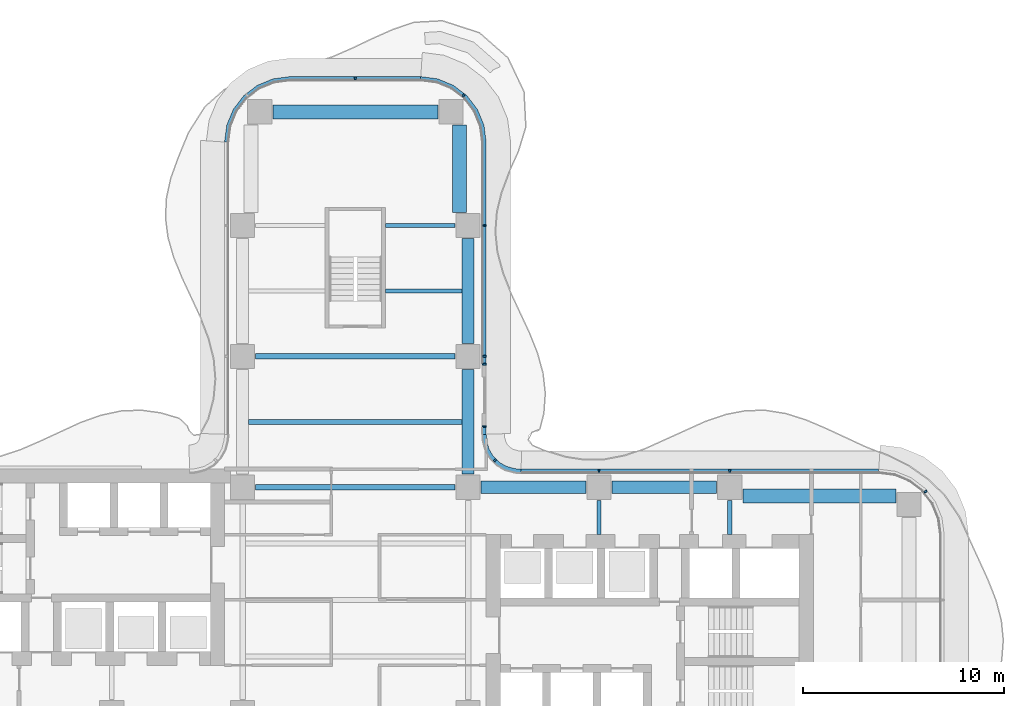
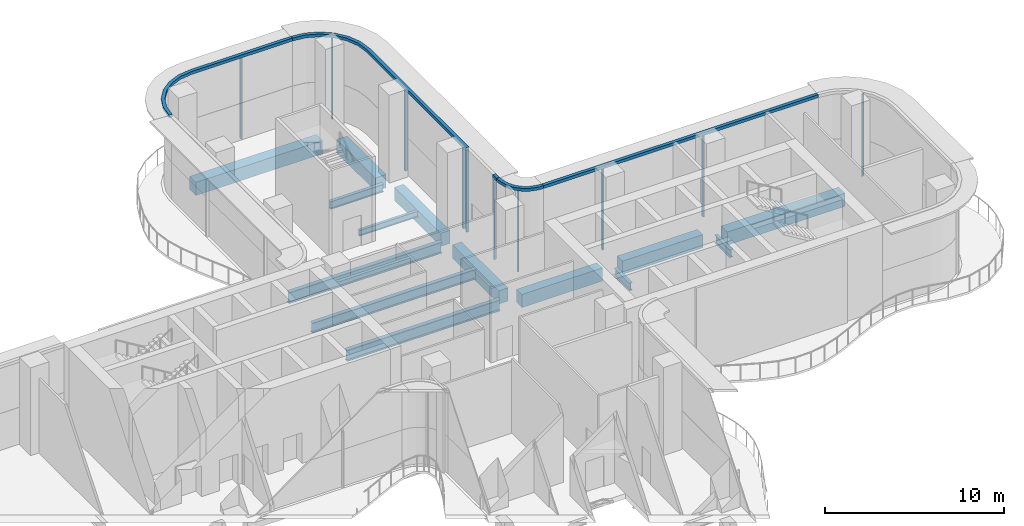
# One storey, part 7 of 19: 15 members, 14 beams, 6 elements without a shape of their own.
"""IFC4 building model written with IfcOpenShell, lengths in metres."""

from ifc_helpers import new_model, si_unit, direction, frame, origin, origin_2d, place, context, subcontext, project, spatial, polyline, rectangle, i_section, outline, extrude, source, transform, mapped, material, layer, layer_set, material_profile, profile_set, type_object, element, aggregate, save


model = new_model("IFC4")

# Units and contexts
model_context = context("Model", 3, precision=1e-05, world=origin(), true_north=direction((0.0, 1.0)))
body_context = subcontext(model_context, "Body", "Model", "MODEL_VIEW")
ifc_project = project(units=[si_unit("LENGTHUNIT", "METRE"), si_unit("AREAUNIT", "SQUARE_METRE"), si_unit("VOLUMEUNIT", "CUBIC_METRE"), si_unit("PLANEANGLEUNIT", "RADIAN"), si_unit("MASSUNIT", "GRAM", prefix="KILO")], contexts=[model_context])

# Site, building, storey
site_placement = place(None, origin())
site = spatial("IfcSite", under=ifc_project, at=site_placement, CompositionType="ELEMENT")
building_placement = place(site_placement, origin())
building = spatial("IfcBuilding", under=site, at=building_placement, Name="Trellis Farm Tower", CompositionType="ELEMENT")
storey_placement = place(building_placement, frame((0.0, 0.0, 156.0)))
storey = spatial("IfcBuildingStorey", under=building, at=storey_placement, Name="L33", CompositionType="ELEMENT", Elevation=156.0)

# Curtain wall, member
ifc_material_1 = material(Name="Aluminium and glass curtain wall", Category="aluminium")
ifc_layer_1 = layer(ifc_material_1, 0.196044921875)
ifc_layer_set_1 = layer_set([ifc_layer_1], Name="LOUVRED GLASS CURTAIN WALL CW6")
curtain_wall_type = type_object("IfcCurtainWallType", Name="LOUVRED GLASS CURTAIN WALL CW6", PredefinedType="NOTDEFINED", material=ifc_layer_set_1)
placement_1 = place(storey_placement, origin())
curtain_wall_1 = element("IfcCurtainWall", 1, at=placement_1, inside=storey, type_object=curtain_wall_type, Name="CW6 009", PredefinedType="NOTDEFINED")
ifc_material_2 = material(Name="Aluminium extrusion 6063-T6", Category="aluminium")
ifc_layer_2 = layer(ifc_material_2, 0.2099609375)
ifc_layer_set_2 = layer_set([ifc_layer_2], Name="Aluminium extrusion 6063-T6")
member_type_1 = type_object("IfcMemberType", Name="CW6 TRANSOM 210x200", PredefinedType="USERDEFINED", material=ifc_layer_set_2)
placement_2 = place(storey_placement, frame((0.0, 0.0, 5.60009765625)))
member_1 = element("IfcMember", 2, at=placement_2, type_object=member_type_1, Name="TR6 009", ObjectType="TRANSOM", PredefinedType="USERDEFINED", context=body_context, shape_type="SweptSolid", body=[
    extrude(outline(polyline([(26.0, 6.5), (8.2314453125, 6.5), (8.224609375, 6.2900390625), (25.986328125, 6.2900390625), (26.0, 6.5)])), origin(), (0.0, 0.0, 1.0), 0.199951171875),
])

curtain_wall_2 = element("IfcCurtainWall", 3, at=placement_1, inside=storey, type_object=curtain_wall_type, Name="CW6 011", PredefinedType="NOTDEFINED")
member_2 = element("IfcMember", 4, at=placement_2, type_object=member_type_1, Name="TR6 011", ObjectType="TRANSOM", PredefinedType="USERDEFINED", context=body_context, shape_type="SweptSolid", body=[
    extrude(outline(polyline([(6.5, 8.2314453125), (6.5, 8.665771484375), (6.2900390625, 8.665771484375), (6.2900390625, 8.224609375), (6.5, 8.2314453125)])), origin(), (0.0, 0.0, 1.0), 0.199951171875),
])

curtain_wall_3 = element("IfcCurtainWall", 5, at=placement_1, inside=storey, type_object=curtain_wall_type, Name="CW6 012", PredefinedType="NOTDEFINED")
member_3 = element("IfcMember", 6, at=placement_2, type_object=member_type_1, Name="TR6 012", ObjectType="TRANSOM", PredefinedType="USERDEFINED", context=body_context, shape_type="SweptSolid", body=[
    extrude(outline(polyline([(6.5, 11.665771484375), (6.5, 22.75), (6.38916015625, 23.591064453125), (6.064697265625, 24.375), (5.548095703125, 25.048095703125), (4.875, 25.564697265625), (4.091064453125, 25.88916015625), (3.25, 26.0), (3.236328125, 25.7900390625), (4.036376953125, 25.6845703125), (4.76904296875, 25.381103515625), (5.3984375, 24.8984375), (5.881103515625, 24.26904296875), (6.1845703125, 23.536376953125), (6.2900390625, 22.736328125), (6.2900390625, 11.665771484375), (6.5, 11.665771484375)])), origin(), (0.0, 0.0, 1.0), 0.199951171875),
])

# Beams
ifc_material_3 = material(Name="Steel S355", Category="steel")
ifc_material_profile_1 = material_profile(ifc_material_3, i_section(OverallWidth=0.177978515625, OverallDepth=0.406494140625, WebThickness=0.0078125, FlangeThickness=0.0126953125, FilletRadius=0.01025390625, at=origin_2d()), Name="UB 406x178x60")
ifc_profile_set_1 = profile_set([ifc_material_profile_1], Name="Steel S355")
beam_type_1 = type_object("IfcBeamType", Name="UB 406x178x60 joist", PredefinedType="JOIST", material=ifc_profile_set_1)
shared_shape_1 = source(origin(), body_context, "Body", "SweptSolid", [
    extrude(i_section(OverallWidth=0.177978515625, OverallDepth=0.406494140625, WebThickness=0.0078125, FlangeThickness=0.0126953125, FilletRadius=0.01025390625, at=origin_2d()), origin(), (0.0, 0.0, 1.0), 3.800048828125),
])
beam_1_placement = place(storey_placement, frame((1.5, 15.35009765625, -0.55322265625), z_axis=(1.0, 0.0, 0.0), x_axis=(0.0, 1.0, 0.0)))
element("IfcBeam", 7, at=beam_1_placement, inside=storey, type_object=beam_type_1, Name="Floor beam", PredefinedType="JOIST", context=body_context, shape_type="MappedRepresentation", body=[
    mapped(shared_shape_1, transform((0.0, 0.0, 0.0))),
])
ifc_material_profile_2 = material_profile(ifc_material_3, i_section(OverallWidth=0.253662109375, OverallDepth=0.68359375, WebThickness=0.012451171875, FlangeThickness=0.021728515625, FilletRadius=0.01513671875, at=origin_2d()), Name="UB 686x254x140")
ifc_profile_set_2 = profile_set([ifc_material_profile_2], Name="Steel S355")
beam_type_2 = type_object("IfcBeamType", Name="UB 686x254x140 joist", PredefinedType="JOIST", material=ifc_profile_set_2)
shared_shape_2 = source(origin(), body_context, "Body", "SweptSolid", [
    extrude(i_section(OverallWidth=0.253662109375, OverallDepth=0.68359375, WebThickness=0.012451171875, FlangeThickness=0.021728515625, FilletRadius=0.01513671875, at=origin_2d()), origin(), (0.0, 0.0, 1.0), 10.60009765625),
])
beam_2_placement = place(storey_placement, frame((-5.300048828125, 8.85009765625, -0.691650390625), z_axis=(1.0, 0.0, 0.0), x_axis=(0.0, 1.0, 0.0)))
element("IfcBeam", 8, at=beam_2_placement, inside=storey, type_object=beam_type_2, Name="Floor beam", PredefinedType="JOIST", context=body_context, shape_type="MappedRepresentation", body=[
    mapped(shared_shape_2, transform((0.0, 0.0, 0.0))),
])
ifc_material_profile_3 = material_profile(ifc_material_3, i_section(OverallWidth=0.209228515625, OverallDepth=0.533203125, WebThickness=0.010009765625, FlangeThickness=0.015625, FilletRadius=0.0126953125, at=origin_2d()), Name="UB 533x210x92")
ifc_profile_set_3 = profile_set([ifc_material_profile_3], Name="Steel S355")
beam_type_3 = type_object("IfcBeamType", Name="UB 533x210x92", PredefinedType="BEAM", material=ifc_profile_set_3)
shared_shape_3 = source(origin(), body_context, "Body", "SweptSolid", [
    extrude(i_section(OverallWidth=0.209228515625, OverallDepth=0.533203125, WebThickness=0.010009765625, FlangeThickness=0.015625, FilletRadius=0.0126953125, at=origin_2d()), origin(), (0.0, 0.0, 1.0), 3.449951171875),
])
beam_3_placement = place(storey_placement, frame((1.5, 18.60009765625, -0.616455078125), z_axis=(1.0, 0.0, 0.0), x_axis=(0.0, 1.0, 0.0)))
element("IfcBeam", 9, at=beam_3_placement, inside=storey, type_object=beam_type_3, Name="Girder", PredefinedType="BEAM", context=body_context, shape_type="MappedRepresentation", body=[
    mapped(shared_shape_3, transform((0.0, 0.0, 0.0))),
])
ifc_material_profile_4 = material_profile(ifc_material_3, i_section(OverallWidth=0.2666015625, OverallDepth=0.76220703125, WebThickness=0.014404296875, FlangeThickness=0.021484375, FilletRadius=0.0166015625, at=origin_2d()), Name="UB 762x267x173")
ifc_profile_set_4 = profile_set([ifc_material_profile_4], Name="Steel S355")
beam_type_4 = type_object("IfcBeamType", Name="UB 762x267x173", PredefinedType="BEAM", material=ifc_profile_set_4)
shared_shape_4 = source(origin(), body_context, "Body", "SweptSolid", [
    extrude(i_section(OverallWidth=0.2666015625, OverallDepth=0.76220703125, WebThickness=0.014404296875, FlangeThickness=0.021484375, FilletRadius=0.0166015625, at=origin_2d()), origin(), (0.0, 0.0, 1.0), 9.89990234375),
])
for number, where, z_axis, x_axis, name in (
    (10, (-4.949951171875, 5.60009765625, -0.731201171875), (1.0, 0.0, 0.0), (0.0, 1.0, 0.0), "Girder"),
    (11, (-4.949951171875, 12.10009765625, -0.731201171875), (1.0, 0.0, 0.0), (0.0, 1.0, 0.0), "Girder"),
):
    element("IfcBeam", number, at=place(storey_placement, frame(where, z_axis=z_axis, x_axis=x_axis)), inside=storey, type_object=beam_type_4, Name=name, PredefinedType="BEAM", context=body_context, shape_type="MappedRepresentation", body=[
        mapped(shared_shape_4, transform((0.0, 0.0, 0.0))),
    ])
shared_shape_5 = source(origin(), body_context, "Body", "SweptSolid", [
    extrude(i_section(OverallWidth=0.209228515625, OverallDepth=0.533203125, WebThickness=0.010009765625, FlangeThickness=0.015625, FilletRadius=0.0126953125, at=origin_2d()), origin(), (0.0, 0.0, 1.0), 1.699951171875),
])
for number, where, z_axis, x_axis, name in (
    (12, (12.10009765625, 3.25, -0.616455078125), (0.0, 1.0, 0.0), (-1.0, 0.0, 0.0), "Girder"),
    (13, (18.60009765625, 3.25, -0.616455078125), (0.0, 1.0, 0.0), (-1.0, 0.0, 0.0), "Girder"),
):
    element("IfcBeam", number, at=place(storey_placement, frame(where, z_axis=z_axis, x_axis=x_axis)), inside=storey, type_object=beam_type_3, Name=name, PredefinedType="BEAM", context=body_context, shape_type="MappedRepresentation", body=[
        mapped(shared_shape_5, transform((0.0, 0.0, 0.0))),
    ])
ifc_material_4 = material(Name="Concrete C60/75", Category="concrete")
ifc_material_profile_5 = material_profile(ifc_material_4, rectangle(XDim=0.60009765625, YDim=0.89990234375, at=origin_2d()), Name="RC spandrel beam 600x900 C60/75")
ifc_profile_set_5 = profile_set([ifc_material_profile_5], Name="Concrete C60/75")
beam_type_5 = type_object("IfcBeamType", Name="RC spandrel beam 600x900 C60/75", PredefinedType="SPANDREL", material=ifc_profile_set_5)
shared_shape_6 = source(origin(), body_context, "Body", "SweptSolid", [
    extrude(rectangle(XDim=0.60009765625, YDim=0.89990234375, at=origin_2d()), origin(), (0.0, 0.0, 1.0), 5.199951171875),
])
for number, where, z_axis, x_axis, name in (
    (14, (6.25, 5.60009765625, -0.800048828125), (1.0, 0.0, 0.0), (0.0, 1.0, 0.0), "Girder"),
    (15, (12.75, 5.60009765625, -0.800048828125), (1.0, 0.0, 0.0), (0.0, 1.0, 0.0), "Girder"),
    (16, (5.60009765625, 6.25, -0.800048828125), (0.0, 1.0, 0.0), (-1.0, 0.0, 0.0), "Girder"),
    (17, (5.60009765625, 12.75, -0.800048828125), (0.0, 1.0, 0.0), (-1.0, 0.0, 0.0), "Girder"),
):
    element("IfcBeam", number, at=place(storey_placement, frame(where, z_axis=z_axis, x_axis=x_axis)), inside=storey, type_object=beam_type_5, Name=name, PredefinedType="SPANDREL", context=body_context, shape_type="MappedRepresentation", body=[
        mapped(shared_shape_6, transform((0.0, 0.0, 0.0))),
    ])
ifc_material_profile_6 = material_profile(ifc_material_4, rectangle(XDim=0.699951171875, YDim=0.89990234375, at=origin_2d()), Name="RC spandrel beam 700x900 C60/75")
ifc_profile_set_6 = profile_set([ifc_material_profile_6], Name="Concrete C60/75")
beam_type_6 = type_object("IfcBeamType", Name="RC spandrel beam 700x900 C60/75", PredefinedType="SPANDREL", material=ifc_profile_set_6)
shared_shape_7 = source(origin(), body_context, "Body", "SweptSolid", [
    extrude(rectangle(XDim=0.699951171875, YDim=0.89990234375, at=origin_2d()), origin(), (0.0, 0.0, 1.0), 4.35009765625),
])
beam_4_placement = place(storey_placement, frame((5.175048828125, 19.25, -0.800048828125), z_axis=(0.0, 1.0, 0.0), x_axis=(-1.0, 0.0, 0.0)))
element("IfcBeam", 18, at=beam_4_placement, inside=storey, type_object=beam_type_6, Name="Girder", PredefinedType="SPANDREL", context=body_context, shape_type="MappedRepresentation", body=[
    mapped(shared_shape_7, transform((0.0, 0.0, 0.0))),
])
shared_shape_8 = source(origin(), body_context, "Body", "SweptSolid", [
    extrude(rectangle(XDim=0.699951171875, YDim=0.89990234375, at=origin_2d()), origin(), (0.0, 0.0, 1.0), 8.2001953125),
])
beam_5_placement = place(storey_placement, frame((-4.10009765625, 24.25, -0.800048828125), z_axis=(1.0, 0.0, 0.0), x_axis=(0.0, 1.0, 0.0)))
element("IfcBeam", 19, at=beam_5_placement, inside=storey, type_object=beam_type_6, Name="Girder", PredefinedType="SPANDREL", context=body_context, shape_type="MappedRepresentation", body=[
    mapped(shared_shape_8, transform((0.0, 0.0, 0.0))),
])
shared_shape_9 = source(origin(), body_context, "Body", "SweptSolid", [
    extrude(rectangle(XDim=0.699951171875, YDim=0.89990234375, at=origin_2d()), origin(), (0.0, 0.0, 1.0), 7.60009765625),
])
beam_6_placement = place(storey_placement, frame((19.25, 5.175048828125, -0.800048828125), z_axis=(1.0, 0.0, 0.0), x_axis=(0.0, 1.0, 0.0)))
element("IfcBeam", 20, at=beam_6_placement, inside=storey, type_object=beam_type_6, Name="Girder", PredefinedType="SPANDREL", context=body_context, shape_type="MappedRepresentation", body=[
    mapped(shared_shape_9, transform((0.0, 0.0, 0.0))),
])

# Curtain wall, member
curtain_wall_4 = element("IfcCurtainWall", 21, at=placement_1, inside=storey, type_object=curtain_wall_type, Name="CW6 008", PredefinedType="NOTDEFINED")
ifc_material_profile_7 = material_profile(ifc_material_2, rectangle(XDim=0.090087890625, YDim=0.159912109375, at=origin_2d()), Name="MULLION 90x160")
ifc_profile_set_7 = profile_set([ifc_material_profile_7], Name="Aluminium extrusion 6063-T6")
member_type_2 = type_object("IfcMemberType", Name="CW6 MULLION 90x160", PredefinedType="MULLION", material=ifc_profile_set_7)
shared_shape_10 = source(origin(), body_context, "Body", "SweptSolid", [
    extrude(rectangle(XDim=0.090087890625, YDim=0.159912109375, at=origin_2d()), origin(), (0.0, 0.0, 1.0), 5.60009765625),
])
member_4_placement = place(storey_placement, frame((28.32421875, 5.382568359375, 0.0), z_axis=(0.0, 0.0, 1.0), x_axis=(-0.608761429009, 0.793353340291, 0.0)))
member_4 = element("IfcMember", 22, at=member_4_placement, type_object=member_type_2, Name="MU6 008-02", PredefinedType="MULLION", context=body_context, shape_type="MappedRepresentation", body=[
    mapped(shared_shape_10, transform((0.0, 0.0, 0.0))),
])
aggregate(curtain_wall_4, [member_4])

# Member
member_5_placement = place(storey_placement, frame((18.60009765625, 6.419921875, 0.0), z_axis=(0.0, 0.0, 1.0), x_axis=(-1.0, 0.0, 0.0)))
member_5 = element("IfcMember", 23, at=member_5_placement, type_object=member_type_2, Name="MU6 009-01", PredefinedType="MULLION", context=body_context, shape_type="MappedRepresentation", body=[
    mapped(shared_shape_10, transform((0.0, 0.0, 0.0))),
])

member_6_placement = place(storey_placement, frame((12.10009765625, 6.419921875, 0.0), z_axis=(0.0, 0.0, 1.0), x_axis=(-1.0, 0.0, 0.0)))
member_6 = element("IfcMember", 24, at=member_6_placement, type_object=member_type_2, Name="MU6 009-02", PredefinedType="MULLION", context=body_context, shape_type="MappedRepresentation", body=[
    mapped(shared_shape_10, transform((0.0, 0.0, 0.0))),
])

aggregate(curtain_wall_1, [member_5, member_6, member_1])

# Curtain wall, member
curtain_wall_5 = element("IfcCurtainWall", 25, at=placement_1, inside=storey, type_object=curtain_wall_type, Name="CW6 010", PredefinedType="NOTDEFINED")
member_7_placement = place(storey_placement, frame((6.93896484375, 6.93896484375, 0.0), z_axis=(0.0, 0.0, 1.0), x_axis=(-0.707106781187, 0.707106781187, 0.0)))
member_7 = element("IfcMember", 26, at=member_7_placement, type_object=member_type_2, Name="MU6 010-01", PredefinedType="MULLION", context=body_context, shape_type="MappedRepresentation", body=[
    mapped(shared_shape_10, transform((0.0, 0.0, 0.0))),
])

# Member
member_8_placement = place(storey_placement, frame((6.419921875, 8.62060546875, 0.0), z_axis=(0.0, 0.0, 1.0), x_axis=(0.0, 1.0, 0.0)))
member_8 = element("IfcMember", 27, at=member_8_placement, type_object=member_type_2, Name="MU6 011-01", PredefinedType="MULLION", context=body_context, shape_type="MappedRepresentation", body=[
    mapped(shared_shape_10, transform((0.0, 0.0, 0.0))),
])

aggregate(curtain_wall_2, [member_8, member_2])

member_9_placement = place(storey_placement, frame((6.419921875, 11.710693359375, 0.0), z_axis=(0.0, 0.0, 1.0), x_axis=(0.0, 1.0, 0.0)))
member_9 = element("IfcMember", 28, at=member_9_placement, type_object=member_type_2, Name="MU6 012-01", PredefinedType="MULLION", context=body_context, shape_type="MappedRepresentation", body=[
    mapped(shared_shape_10, transform((0.0, 0.0, 0.0))),
])

member_10_placement = place(storey_placement, frame((6.419921875, 12.10009765625, 0.0), z_axis=(0.0, 0.0, 1.0), x_axis=(0.0, 1.0, 0.0)))
member_10 = element("IfcMember", 29, at=member_10_placement, type_object=member_type_2, Name="MU6 012-02", PredefinedType="MULLION", context=body_context, shape_type="MappedRepresentation", body=[
    mapped(shared_shape_10, transform((0.0, 0.0, 0.0))),
])

member_11_placement = place(storey_placement, frame((6.419921875, 18.60009765625, 0.0), z_axis=(0.0, 0.0, 1.0), x_axis=(0.0, 1.0, 0.0)))
member_11 = element("IfcMember", 30, at=member_11_placement, type_object=member_type_2, Name="MU6 012-03", PredefinedType="MULLION", context=body_context, shape_type="MappedRepresentation", body=[
    mapped(shared_shape_10, transform((0.0, 0.0, 0.0))),
])

member_12_placement = place(storey_placement, frame((5.382568359375, 25.07421875, 0.0), z_axis=(0.0, 0.0, 1.0), x_axis=(-0.793353340291, 0.608761429009, 0.0)))
member_12 = element("IfcMember", 31, at=member_12_placement, type_object=member_type_2, Name="MU6 012-04", PredefinedType="MULLION", context=body_context, shape_type="MappedRepresentation", body=[
    mapped(shared_shape_10, transform((0.0, 0.0, 0.0))),
])

aggregate(curtain_wall_3, [member_9, member_10, member_11, member_12, member_3])

# Curtain wall, member
curtain_wall_6 = element("IfcCurtainWall", 32, at=placement_1, inside=storey, type_object=curtain_wall_type, Name="CW6 013", PredefinedType="NOTDEFINED")
member_13_placement = place(storey_placement, frame((0.0, 25.919921875, 0.0), z_axis=(0.0, 0.0, 1.0), x_axis=(-1.0, 0.0, 0.0)))
member_13 = element("IfcMember", 33, at=member_13_placement, type_object=member_type_2, Name="MU6 013-01", PredefinedType="MULLION", context=body_context, shape_type="MappedRepresentation", body=[
    mapped(shared_shape_10, transform((0.0, 0.0, 0.0))),
])

# Member
shared_shape_11 = source(origin(), body_context, "Body", "SweptSolid", [
    extrude(outline(polyline([(8.2314453125, 6.5), (8.01953125, 6.513916015625), (7.91552734375, 6.527587890625), (7.508544921875, 6.63671875), (7.144287109375, 6.846923828125), (6.846923828125, 7.144287109375), (6.63671875, 7.508544921875), (6.527587890625, 7.91552734375), (6.513916015625, 8.01953125), (6.5, 8.2314453125), (6.2900390625, 8.224609375), (6.3046875, 7.9990234375), (6.321044921875, 7.87451171875), (6.44091796875, 7.427490234375), (6.678955078125, 7.015380859375), (7.015380859375, 6.678955078125), (7.427490234375, 6.44091796875), (7.87451171875, 6.321044921875), (7.9990234375, 6.3046875), (8.224609375, 6.2900390625), (8.2314453125, 6.5)])), origin(), (0.0, 0.0, 1.0), 0.199951171875),
])
member_14 = element("IfcMember", 34, at=placement_2, type_object=member_type_1, Name="TR6 010", ObjectType="TRANSOM", PredefinedType="USERDEFINED", context=body_context, shape_type="MappedRepresentation", body=[
    mapped(shared_shape_11, transform((0.0, 0.0, 0.0))),
])

aggregate(curtain_wall_5, [member_7, member_14])

shared_shape_12 = source(origin(), body_context, "Body", "SweptSolid", [
    extrude(outline(polyline([(3.25, 26.0), (-3.25, 26.0), (-4.091064453125, 25.88916015625), (-4.875, 25.564697265625), (-5.548095703125, 25.048095703125), (-6.064697265625, 24.375), (-6.38916015625, 23.591064453125), (-6.5, 22.75), (-6.2900390625, 22.736328125), (-6.1845703125, 23.536376953125), (-5.881103515625, 24.26904296875), (-5.3984375, 24.8984375), (-4.76904296875, 25.381103515625), (-4.036376953125, 25.6845703125), (-3.236328125, 25.7900390625), (3.236328125, 25.7900390625), (3.25, 26.0)])), origin(), (0.0, 0.0, 1.0), 0.199951171875),
])
member_15 = element("IfcMember", 35, at=placement_2, type_object=member_type_1, Name="TR6 013", ObjectType="TRANSOM", PredefinedType="USERDEFINED", context=body_context, shape_type="MappedRepresentation", body=[
    mapped(shared_shape_12, transform((0.0, 0.0, 0.0))),
])

aggregate(curtain_wall_6, [member_13, member_15])

save(model, "model.ifc")
